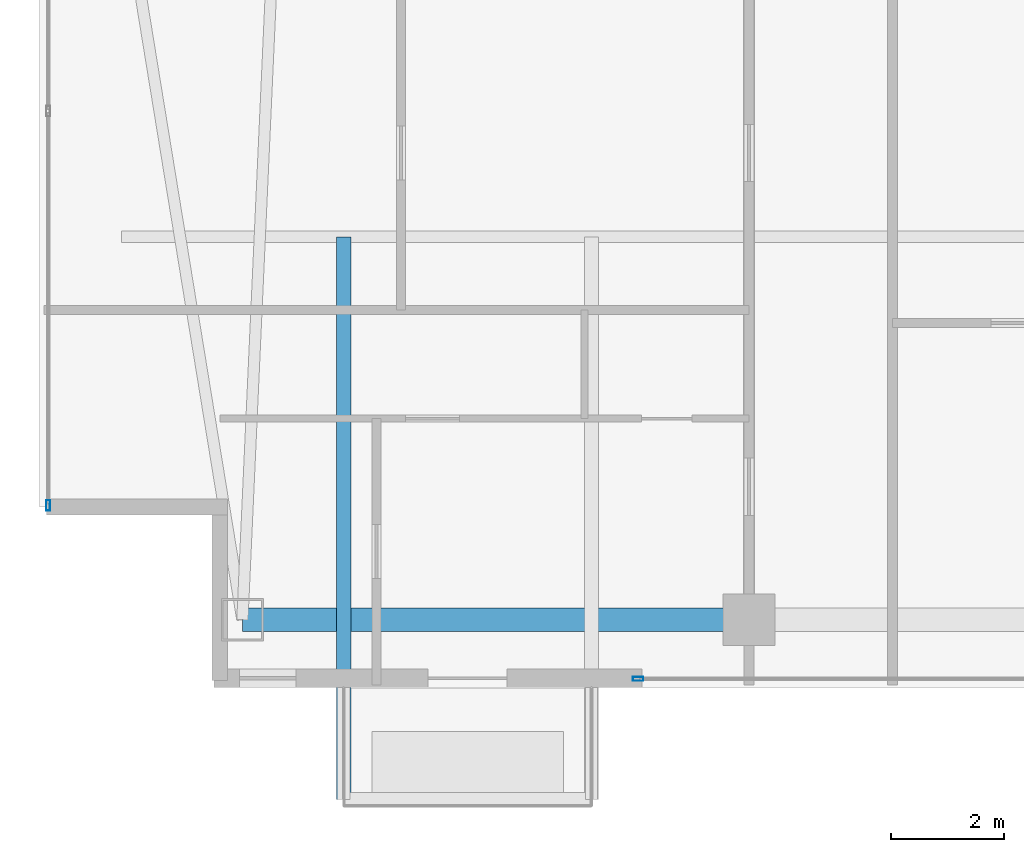
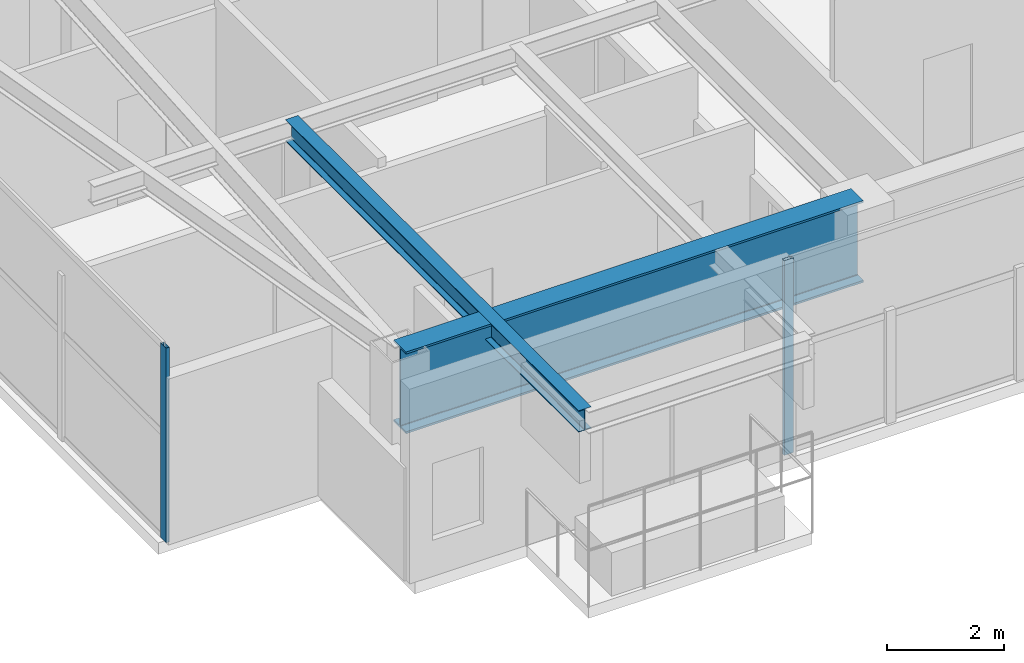
# One storey, part 2 of 29: 2 beams, 2 members, 2 elements without a shape of their own.
"""IFC4 building model written with IfcOpenShell, lengths in metres."""

from ifc_helpers import new_model, si_unit, direction, frame, origin, origin_2d, place, context, subcontext, project, spatial, hollow_rectangle, i_section, extrude, material, layer, layer_set, material_profile, profile_set, type_object, element, aggregate, save


model = new_model("IFC4")

# Units and contexts
model_context = context("Model", 3, precision=1e-05, world=origin(), true_north=direction((0.0, 1.0)))
body_context = subcontext(model_context, "Body", "Model", "MODEL_VIEW")
ifc_project = project(units=[si_unit("LENGTHUNIT", "METRE"), si_unit("AREAUNIT", "SQUARE_METRE"), si_unit("VOLUMEUNIT", "CUBIC_METRE"), si_unit("PLANEANGLEUNIT", "RADIAN"), si_unit("MASSUNIT", "GRAM", prefix="KILO")], contexts=[model_context])

# Site, building, storey
site_placement = place(None, origin())
site = spatial("IfcSite", under=ifc_project, at=site_placement, CompositionType="ELEMENT")
building_placement = place(site_placement, origin())
building = spatial("IfcBuilding", under=site, at=building_placement, Name="Calvorn Quay Hotel", CompositionType="ELEMENT")
storey_placement = place(building_placement, frame((0.0, 0.0, 214.800048828125)))
storey = spatial("IfcBuildingStorey", under=building, at=storey_placement, Name="L53", CompositionType="ELEMENT", Elevation=214.800048828125)

# Beams
ifc_material_1 = material(Name="Steel Q355B", Category="steel")
ifc_material_profile_1 = material_profile(ifc_material_1, i_section(OverallWidth=0.25, OverallDepth=0.449951171875, WebThickness=0.011962890625, FlangeThickness=0.01611328125, FilletRadius=0.01611328125, at=origin_2d()), Name="HN450x250x12x16")
ifc_profile_set_1 = profile_set([ifc_material_profile_1], Name="Steel Q355B")
beam_type_1 = type_object("IfcBeamType", Name="BM-CANT-BALC", PredefinedType="BEAM", material=ifc_profile_set_1)
beam_1_placement = place(storey_placement, frame((5.39990234375, 10.39990234375, 3.824951171875), z_axis=(0.0, -1.0, 0.0), x_axis=(1.0, 0.0, 0.0)))
element("IfcBeam", 1, at=beam_1_placement, inside=storey, type_object=beam_type_1, Name="Cantilever Balcony Beam BCB-L54-1A", PredefinedType="BEAM", context=body_context, shape_type="SweptSolid", body=[
    extrude(i_section(OverallWidth=0.25, OverallDepth=0.449951171875, WebThickness=0.011962890625, FlangeThickness=0.01611328125, FilletRadius=0.01611328125, at=origin_2d()), origin(), (0.0, 0.0, 1.0), 9.989990234375),
])
ifc_material_2 = material(Name="Steel Q420GJC", Category="steel")
ifc_material_profile_2 = material_profile(ifc_material_2, i_section(OverallWidth=0.419921875, OverallDepth=1.699951171875, WebThickness=0.02392578125, FlangeThickness=0.0419921875, FilletRadius=0.02392578125, at=origin_2d()), Name="HN1700x420x24x42")
ifc_profile_set_2 = profile_set([ifc_material_profile_2], Name="Steel Q420GJC")
beam_type_2 = type_object("IfcBeamType", Name="BM-XFER-SAWTOOTH", PredefinedType="BEAM", material=ifc_profile_set_2)
beam_2_placement = place(storey_placement, frame((3.60009765625, 3.60009765625, 3.199951171875), z_axis=(1.0, 0.0, 0.0), x_axis=(0.0, 1.0, 0.0)))
element("IfcBeam", 2, at=beam_2_placement, inside=storey, type_object=beam_type_2, Name="Beam BSP-L53-S1", PredefinedType="BEAM", context=body_context, shape_type="SweptSolid", body=[
    extrude(i_section(OverallWidth=0.419921875, OverallDepth=1.699951171875, WebThickness=0.02392578125, FlangeThickness=0.0419921875, FilletRadius=0.02392578125, at=origin_2d()), origin(), (0.0, 0.0, 1.0), 9.0),
])

# Curtain wall, member
ifc_material_3 = material(Name="Champagne Bronze Anodised Aluminium and Low-E Glass", Category="aluminium")
ifc_layer = layer(ifc_material_3, 0.219970703125)
ifc_layer_set = layer_set([ifc_layer], Name="CW-SYS-Z3")
curtain_wall_type = type_object("IfcCurtainWallType", Name="CW-SYS-Z3", PredefinedType="NOTDEFINED", material=ifc_layer_set)
curtain_wall_1_placement = place(storey_placement, origin())
curtain_wall_1 = element("IfcCurtainWall", 3, at=curtain_wall_1_placement, inside=storey, type_object=curtain_wall_type, Name="Tower West Curtain Wall (L53)", PredefinedType="NOTDEFINED")
ifc_material_4 = material(Name="Champagne Bronze Anodised Aluminium 6063-T6", Category="aluminium")
ifc_material_profile_3 = material_profile(ifc_material_4, hollow_rectangle(XDim=0.068115234375, YDim=0.18505859375, WallThickness=0.00390625, at=origin_2d()), Name="ALU-M185x68x4")
ifc_profile_set_3 = profile_set([ifc_material_profile_3], Name="Champagne Bronze Anodised Aluminium 6063-T6")
member_type = type_object("IfcMemberType", Name="CW-SYS-Z3-MUL", PredefinedType="MULLION", material=ifc_profile_set_3)
member_1_placement = place(storey_placement, frame((0.14990234375, 5.6298828125, 0.0), z_axis=(0.0, 0.0, 1.0), x_axis=(-1.0, 0.0, 0.0)))
member_1 = element("IfcMember", 4, at=member_1_placement, type_object=member_type, Name="CW-L53-W mullion 1", PredefinedType="MULLION", context=body_context, shape_type="SweptSolid", body=[
    extrude(hollow_rectangle(XDim=0.068115234375, YDim=0.18505859375, WallThickness=0.00390625, at=origin_2d()), origin(), (0.0, 0.0, 1.0), 4.050048828125),
])
aggregate(curtain_wall_1, [member_1])

curtain_wall_2_placement = place(storey_placement, origin())
curtain_wall_2 = element("IfcCurtainWall", 5, at=curtain_wall_2_placement, inside=storey, type_object=curtain_wall_type, Name="Tower South Waterfront Curtain Wall (L53)", PredefinedType="NOTDEFINED")
member_2_placement = place(storey_placement, frame((10.6298828125, 2.550048828125, 0.0), z_axis=(0.0, 0.0, 1.0), x_axis=(0.0, 1.0, 0.0)))
member_2 = element("IfcMember", 6, at=member_2_placement, type_object=member_type, Name="CW-L53-S mullion 1", PredefinedType="MULLION", context=body_context, shape_type="SweptSolid", body=[
    extrude(hollow_rectangle(XDim=0.068115234375, YDim=0.18505859375, WallThickness=0.00390625, at=origin_2d()), origin(), (0.0, 0.0, 1.0), 4.050048828125),
])
aggregate(curtain_wall_2, [member_2])

save(model, "model.ifc")
